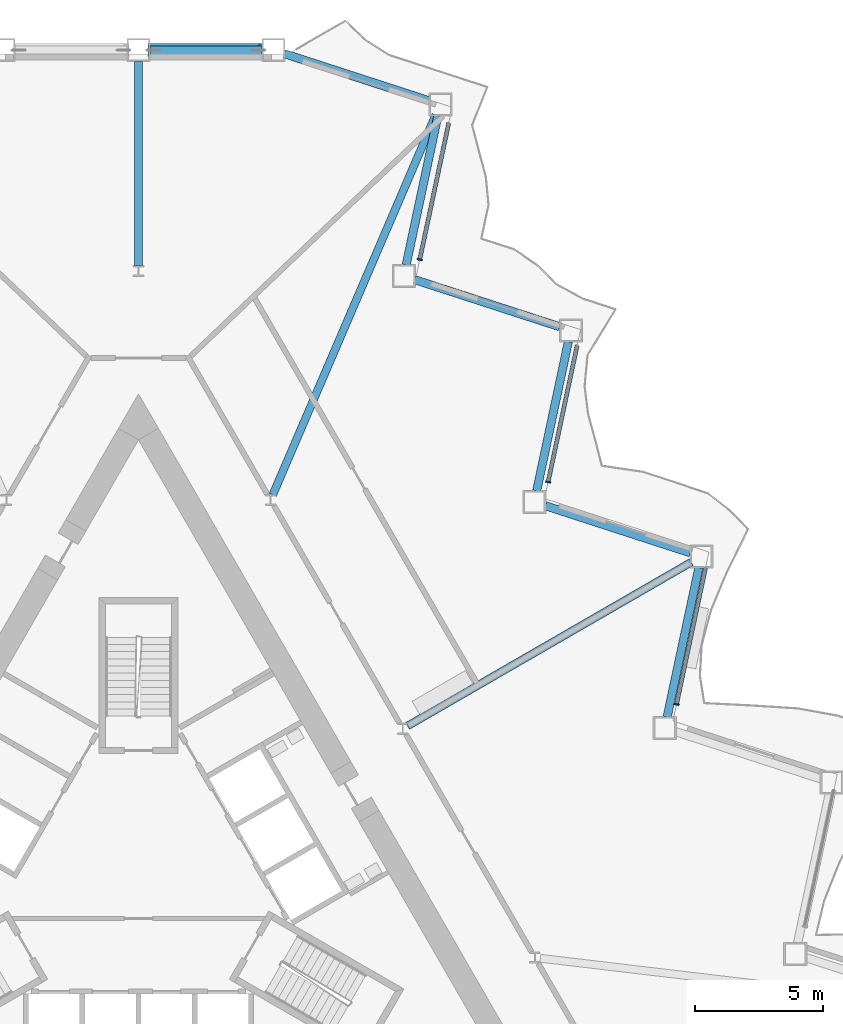
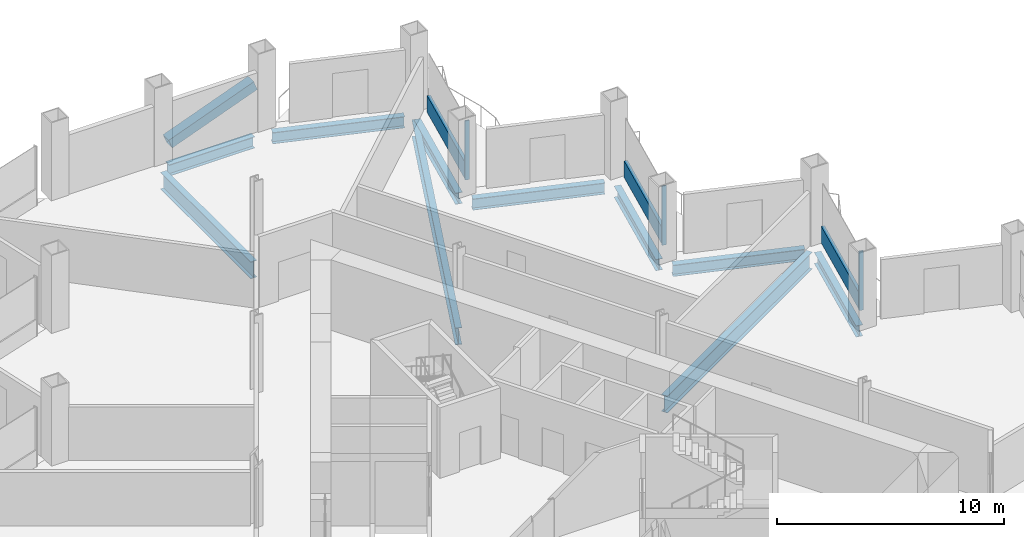
# One storey, part 8 of 21: 10 beams, 7 members, 3 elements without a shape of their own.
"""IFC4 building model written with IfcOpenShell, lengths in metres."""

from ifc_helpers import new_model, si_unit, direction, frame, origin, origin_2d, place, context, subcontext, project, spatial, rectangle, hollow_rectangle, i_section, extrude, material, layer, layer_set, material_profile, profile_set, type_object, element, aggregate, save


model = new_model("IFC4")

# Units and contexts
model_context = context("Model", 3, precision=1e-05, world=origin(), true_north=direction((0.0, 1.0)))
body_context = subcontext(model_context, "Body", "Model", "MODEL_VIEW")
ifc_project = project(units=[si_unit("LENGTHUNIT", "METRE"), si_unit("AREAUNIT", "SQUARE_METRE"), si_unit("VOLUMEUNIT", "CUBIC_METRE"), si_unit("PLANEANGLEUNIT", "RADIAN"), si_unit("MASSUNIT", "GRAM", prefix="KILO")], contexts=[model_context])

# Site, building, storey
site_placement = place(None, origin())
site = spatial("IfcSite", under=ifc_project, at=site_placement, CompositionType="ELEMENT")
building_placement = place(site_placement, origin())
building = spatial("IfcBuilding", under=site, at=building_placement, Name="Cormorant Prow Tower", CompositionType="ELEMENT")
storey_placement = place(building_placement, frame((0.0, 0.0, 112.199951171875)))
storey = spatial("IfcBuildingStorey", under=building, at=storey_placement, Name="L23", CompositionType="ELEMENT", Elevation=112.199951171875)

# Member
ifc_material_1 = material(Name="Structural steel ASTM A500 Gr C", Category="steel")
ifc_material_profile_1 = material_profile(ifc_material_1, hollow_rectangle(XDim=0.508056640625, YDim=0.508056640625, WallThickness=0.014892578125, at=origin_2d()), Name="HSS20x20x5/8")
ifc_profile_set_1 = profile_set([ifc_material_profile_1], Name="Structural steel ASTM A500 Gr C")
member_type_1 = type_object("IfcMemberType", Name="Chamfer brace HSS20x20x5/8", PredefinedType="BRACE", material=ifc_profile_set_1)
member_1_placement = place(storey_placement, frame((0.4677734375, 32.487060546875, 0.776611328125), z_axis=(0.935582009332, 0.0, 0.353109478511), x_axis=(0.0, 1.0, 0.0)))
element("IfcMember", 1, at=member_1_placement, inside=storey, type_object=member_type_1, Name="Chamfer brace BR1 at N00 L23", PredefinedType="BRACE", context=body_context, shape_type="SweptSolid", body=[
    extrude(hollow_rectangle(XDim=0.508056640625, YDim=0.508056640625, WallThickness=0.014892578125, at=origin_2d()), origin(), (0.0, 0.0, 1.0), 4.63232421875),
])

# Curtain wall, member
ifc_material_2 = material(Name="Aluminium 6063-T6", Category="aluminium")
ifc_layer = layer(ifc_material_2, 0.199951171875)
ifc_layer_set = layer_set([ifc_layer], Name="Aluminium 6063-T6")
curtain_wall_type = type_object("IfcCurtainWallType", Name="Office unitised curtain wall 200", PredefinedType="NOTDEFINED", material=ifc_layer_set)
curtain_wall_1_placement = place(storey_placement, origin())
curtain_wall_1 = element("IfcCurtainWall", 2, at=curtain_wall_1_placement, inside=storey, type_object=curtain_wall_type, Name="Office curtain wall ENE04", PredefinedType="NOTDEFINED")
ifc_material_3 = material(Name="Aluminium 6063-T6", Category="aluminium")
ifc_material_profile_2 = material_profile(ifc_material_3, rectangle(XDim=0.199951171875, YDim=0.06005859375, at=origin_2d()), Name="Office mullion 60x200")
ifc_profile_set_2 = profile_set([ifc_material_profile_2], Name="Aluminium 6063-T6")
member_type_2 = type_object("IfcMemberType", Name="Office mullion 60x200", PredefinedType="MULLION", material=ifc_profile_set_2)
member_2_placement = place(storey_placement, frame((21.029296875, 6.91845703125, 0.0), z_axis=(0.0, 0.0, 1.0), x_axis=(-0.978147610002, 0.207911647216, 0.0)))
member_2 = element("IfcMember", 3, at=member_2_placement, type_object=member_type_2, Name="Office mullion ENE04", PredefinedType="MULLION", context=body_context, shape_type="SweptSolid", body=[
    extrude(rectangle(XDim=0.199951171875, YDim=0.06005859375, at=origin_2d()), origin(), (0.0, 0.0, 1.0), 3.18896484375),
])

curtain_wall_2_placement = place(storey_placement, origin())
curtain_wall_2 = element("IfcCurtainWall", 4, at=curtain_wall_2_placement, inside=storey, type_object=curtain_wall_type, Name="Office curtain wall ENE06", PredefinedType="NOTDEFINED")
member_3_placement = place(storey_placement, frame((16.01123046875, 15.60986328125, 0.0), z_axis=(0.0, 0.0, 1.0), x_axis=(-0.978147610002, 0.207911647216, 0.0)))
member_3 = element("IfcMember", 5, at=member_3_placement, type_object=member_type_2, Name="Office mullion ENE06", PredefinedType="MULLION", context=body_context, shape_type="SweptSolid", body=[
    extrude(rectangle(XDim=0.199951171875, YDim=0.06005859375, at=origin_2d()), origin(), (0.0, 0.0, 1.0), 3.18896484375),
])

curtain_wall_3_placement = place(storey_placement, origin())
curtain_wall_3 = element("IfcCurtainWall", 6, at=curtain_wall_3_placement, inside=storey, type_object=curtain_wall_type, Name="Office curtain wall ENE08", PredefinedType="NOTDEFINED")
member_4_placement = place(storey_placement, frame((10.9931640625, 24.301513671875, 0.0), z_axis=(0.0, 0.0, 1.0), x_axis=(-0.978147610002, 0.207911647216, 0.0)))
member_4 = element("IfcMember", 7, at=member_4_placement, type_object=member_type_2, Name="Office mullion ENE08", PredefinedType="MULLION", context=body_context, shape_type="SweptSolid", body=[
    extrude(rectangle(XDim=0.199951171875, YDim=0.06005859375, at=origin_2d()), origin(), (0.0, 0.0, 1.0), 3.18896484375),
])

# Member
ifc_material_4 = material(Name="Terracotta", Category="masonry")
ifc_material_profile_3 = material_profile(ifc_material_4, rectangle(XDim=0.159912109375, YDim=0.89990234375, at=origin_2d()), Name="Office terracotta spandrel rail 160x900")
ifc_profile_set_3 = profile_set([ifc_material_profile_3], Name="Terracotta")
member_type_3 = type_object("IfcMemberType", Name="Office terracotta spandrel rail 160x900", PredefinedType="USERDEFINED", material=ifc_profile_set_3)
member_5_placement = place(storey_placement, frame((21.035400390625, 6.94775390625, 0.449951171875), z_axis=(0.207907775763, 0.978148432896, 0.0), x_axis=(-0.978148432896, 0.207907775763, 0.0)))
member_5 = element("IfcMember", 8, at=member_5_placement, type_object=member_type_3, Name="Office spandrel rail ENE04", ObjectType="TRANSOM", PredefinedType="USERDEFINED", context=body_context, shape_type="SweptSolid", body=[
    extrude(rectangle(XDim=0.159912109375, YDim=0.89990234375, at=origin_2d()), origin(), (0.0, 0.0, 1.0), 5.42041015625),
])

aggregate(curtain_wall_1, [member_2, member_5])

member_6_placement = place(storey_placement, frame((16.017578125, 15.63916015625, 0.449951171875), z_axis=(0.207907775763, 0.978148432896, 0.0), x_axis=(-0.978148432896, 0.207907775763, 0.0)))
member_6 = element("IfcMember", 9, at=member_6_placement, type_object=member_type_3, Name="Office spandrel rail ENE06", ObjectType="TRANSOM", PredefinedType="USERDEFINED", context=body_context, shape_type="SweptSolid", body=[
    extrude(rectangle(XDim=0.159912109375, YDim=0.89990234375, at=origin_2d()), origin(), (0.0, 0.0, 1.0), 5.42041015625),
])

aggregate(curtain_wall_2, [member_3, member_6])

member_7_placement = place(storey_placement, frame((10.99951171875, 24.330810546875, 0.449951171875), z_axis=(0.207907775763, 0.978148432896, 0.0), x_axis=(-0.978148432896, 0.207907775763, 0.0)))
member_7 = element("IfcMember", 10, at=member_7_placement, type_object=member_type_3, Name="Office spandrel rail ENE08", ObjectType="TRANSOM", PredefinedType="USERDEFINED", context=body_context, shape_type="SweptSolid", body=[
    extrude(rectangle(XDim=0.159912109375, YDim=0.89990234375, at=origin_2d()), origin(), (0.0, 0.0, 1.0), 5.42041015625),
])

aggregate(curtain_wall_3, [member_4, member_7])

# Beams
ifc_material_5 = material(Name="Structural steel ASTM A992 Gr 50", Category="steel")
ifc_material_profile_4 = material_profile(ifc_material_5, i_section(OverallWidth=0.3046875, OverallDepth=0.914794921875, WebThickness=0.0166015625, FlangeThickness=0.02587890625, at=origin_2d()), Name="W36x160")
ifc_profile_set_4 = profile_set([ifc_material_profile_4], Name="Structural steel ASTM A992 Gr 50")
beam_type_1 = type_object("IfcBeamType", Name="Radial floor beam W36x160", PredefinedType="BEAM", material=ifc_profile_set_4)
beam_1_placement = place(storey_placement, frame((0.0, 24.070068359375, -0.857421875), z_axis=(0.0, 1.0, 0.0), x_axis=(-1.0, 0.0, 0.0)))
element("IfcBeam", 11, at=beam_1_placement, inside=storey, type_object=beam_type_1, Name="Radial floor beam FB1 1 L23", PredefinedType="BEAM", context=body_context, shape_type="SweptSolid", body=[
    extrude(i_section(OverallWidth=0.3046875, OverallDepth=0.914794921875, WebThickness=0.0166015625, FlangeThickness=0.02587890625, at=origin_2d()), origin(), (0.0, 0.0, 1.0), 7.966796875),
])
beam_2_placement = place(storey_placement, frame((10.516845703125, 6.07177734375, -0.857421875), z_axis=(0.866021760006, 0.500006311156, 0.0), x_axis=(-0.500006311156, 0.866021760006, 0.0)))
element("IfcBeam", 12, at=beam_2_placement, inside=storey, type_object=beam_type_1, Name="Radial floor beam FB1 11 L23", PredefinedType="BEAM", context=body_context, shape_type="SweptSolid", body=[
    extrude(i_section(OverallWidth=0.3046875, OverallDepth=0.914794921875, WebThickness=0.0166015625, FlangeThickness=0.02587890625, at=origin_2d()), origin(), (0.0, 0.0, 1.0), 12.805419921875),
])
beam_3_placement = place(storey_placement, frame((5.25, 15.107666015625, -0.857421875), z_axis=(0.394273140268, 0.918993302948, 0.0), x_axis=(-0.918993302948, 0.394273140268, 0.0)))
element("IfcBeam", 13, at=beam_3_placement, inside=storey, type_object=beam_type_1, Name="Radial floor beam FB1 12 L23", PredefinedType="BEAM", context=body_context, shape_type="SweptSolid", body=[
    extrude(i_section(OverallWidth=0.3046875, OverallDepth=0.914794921875, WebThickness=0.0166015625, FlangeThickness=0.02587890625, at=origin_2d()), origin(), (0.0, 0.0, 1.0), 16.153564453125),
])
ifc_material_6 = material(Name="Structural steel ASTM A992 Gr 50", Category="steel")
ifc_material_profile_5 = material_profile(ifc_material_6, i_section(OverallWidth=0.32373046875, OverallDepth=0.611083984375, WebThickness=0.0126953125, FlangeThickness=0.01904296875, at=origin_2d()), Name="W24x104")
ifc_profile_set_5 = profile_set([ifc_material_profile_5], Name="Structural steel ASTM A992 Gr 50")
beam_type_2 = type_object("IfcBeamType", Name="Spandrel beam W24x104", PredefinedType="SPANDREL", material=ifc_profile_set_5)
beam_4_placement = place(storey_placement, frame((20.6630859375, 6.427001953125, -0.70556640625), z_axis=(0.207912620873, 0.978147403044, 0.0), x_axis=(-0.978147403044, 0.207912620873, 0.0)))
element("IfcBeam", 14, at=beam_4_placement, inside=storey, type_object=beam_type_2, Name="Spandrel beam SB1 ENE04-ENE05 L23", PredefinedType="SPANDREL", context=body_context, shape_type="SweptSolid", body=[
    extrude(i_section(OverallWidth=0.32373046875, OverallDepth=0.611083984375, WebThickness=0.0126953125, FlangeThickness=0.01904296875, at=origin_2d()), origin(), (0.0, 0.0, 1.0), 5.962890625),
])
for number, where, z_axis, x_axis, name in (
    (15, (21.568359375, 12.838623046875, -0.70556640625), (-0.951059340519, 0.309008302174, 0.0), (-0.309008302174, -0.951059340519, 0.0), "Spandrel beam SB1 ENE05-ENE06 L23"),
    (16, (15.56298828125, 15.260498046875, -0.70556640625), (0.207920947907, 0.978145633033, 0.0), (-0.978145633033, 0.207920947907, 0.0), "Spandrel beam SB1 ENE06-ENE07 L23"),
):
    element("IfcBeam", number, at=place(storey_placement, frame(where, z_axis=z_axis, x_axis=x_axis)), inside=storey, type_object=beam_type_2, Name=name, PredefinedType="SPANDREL", context=body_context, shape_type="SweptSolid", body=[
        extrude(i_section(OverallWidth=0.32373046875, OverallDepth=0.611083984375, WebThickness=0.0126953125, FlangeThickness=0.01904296875, at=origin_2d()), origin(), (0.0, 0.0, 1.0), 5.962646484375),
    ])
beam_5_placement = place(storey_placement, frame((16.468505859375, 21.671875, -0.70556640625), z_axis=(-0.95104730696, 0.309045336358, 0.0), x_axis=(-0.309045336358, -0.95104730696, 0.0)))
element("IfcBeam", 17, at=beam_5_placement, inside=storey, type_object=beam_type_2, Name="Spandrel beam SB1 ENE07-ENE08 L23", PredefinedType="SPANDREL", context=body_context, shape_type="SweptSolid", body=[
    extrude(i_section(OverallWidth=0.32373046875, OverallDepth=0.611083984375, WebThickness=0.0126953125, FlangeThickness=0.01904296875, at=origin_2d()), origin(), (0.0, 0.0, 1.0), 5.962890625),
])
beam_6_placement = place(storey_placement, frame((10.463134765625, 24.09375, -0.70556640625), z_axis=(0.207920947907, 0.978145633033, 0.0), x_axis=(-0.978145633033, 0.207920947907, 0.0)))
element("IfcBeam", 18, at=beam_6_placement, inside=storey, type_object=beam_type_2, Name="Spandrel beam SB1 ENE08-ENE09 L23", PredefinedType="SPANDREL", context=body_context, shape_type="SweptSolid", body=[
    extrude(i_section(OverallWidth=0.32373046875, OverallDepth=0.611083984375, WebThickness=0.0126953125, FlangeThickness=0.01904296875, at=origin_2d()), origin(), (0.0, 0.0, 1.0), 5.962646484375),
])
beam_7_placement = place(storey_placement, frame((11.368408203125, 30.50537109375, -0.70556640625), z_axis=(-0.951055430656, 0.309020335608, 0.0), x_axis=(-0.309020335608, -0.951055430656, 0.0)))
element("IfcBeam", 19, at=beam_7_placement, inside=storey, type_object=beam_type_2, Name="Spandrel beam SB1 ENE09-N00 L23", PredefinedType="SPANDREL", context=body_context, shape_type="SweptSolid", body=[
    extrude(i_section(OverallWidth=0.32373046875, OverallDepth=0.611083984375, WebThickness=0.0126953125, FlangeThickness=0.01904296875, at=origin_2d()), origin(), (0.0, 0.0, 1.0), 5.96240234375),
])
beam_8_placement = place(storey_placement, frame((4.819580078125, 32.487060546875, -0.70556640625), z_axis=(-1.0, 0.0, 0.0), x_axis=(0.0, -1.0, 0.0)))
element("IfcBeam", 20, at=beam_8_placement, inside=storey, type_object=beam_type_2, Name="Spandrel beam SB1 N00-N01 L23", PredefinedType="SPANDREL", context=body_context, shape_type="SweptSolid", body=[
    extrude(i_section(OverallWidth=0.32373046875, OverallDepth=0.611083984375, WebThickness=0.0126953125, FlangeThickness=0.01904296875, at=origin_2d()), origin(), (0.0, 0.0, 1.0), 4.36962890625),
])

save(model, "model.ifc")
